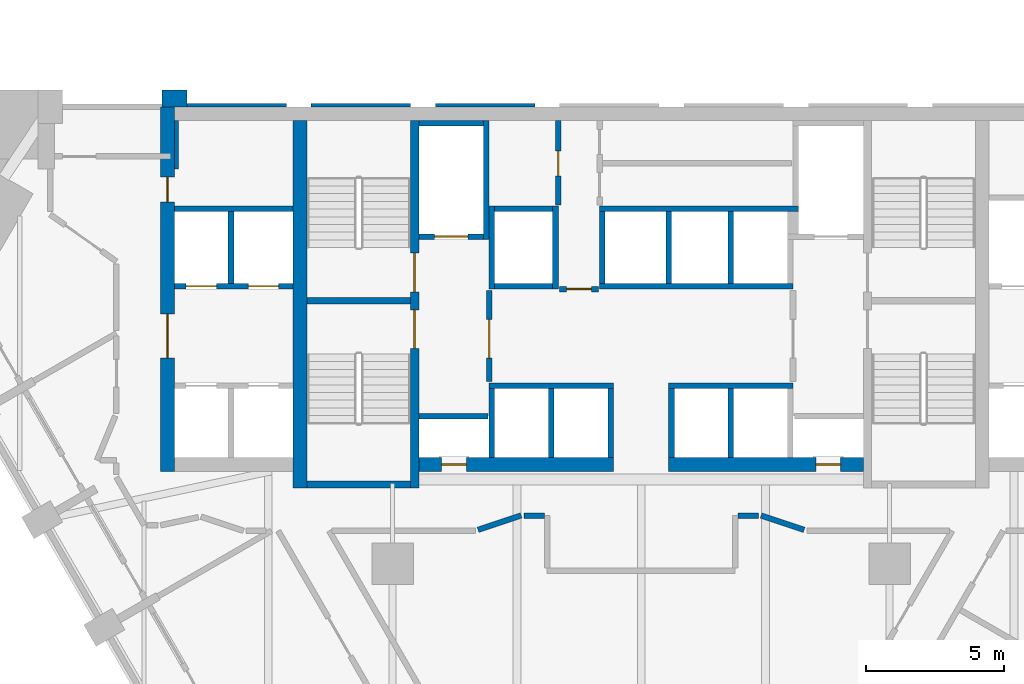
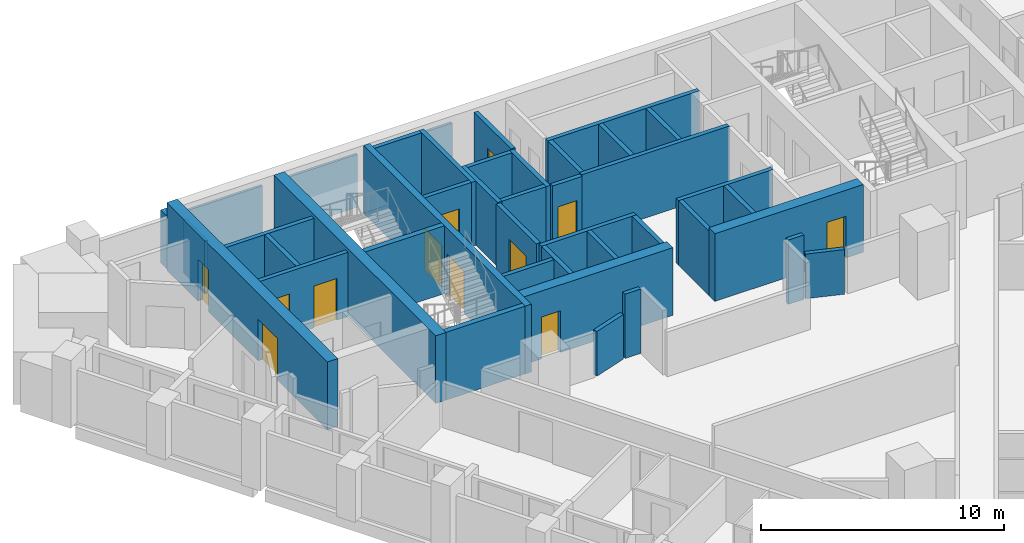
# One storey, part 7 of 11: 42 walls, 12 doors, 12 openings.
"""IFC4 building model written with IfcOpenShell, lengths in metres."""

from ifc_helpers import new_model, si_unit, direction, frame, frame_2d, origin, place, context, subcontext, project, spatial, polyline, rectangle, outline, extrude, material, layer, layer_set, type_object, element, fill, save


model = new_model("IFC4")

# Units and contexts
model_context = context("Model", 3, precision=1e-05, world=origin(), true_north=direction((0.0, 1.0)))
body_context = subcontext(model_context, "Body", "Model", "MODEL_VIEW")
ifc_project = project(units=[si_unit("LENGTHUNIT", "METRE"), si_unit("AREAUNIT", "SQUARE_METRE"), si_unit("VOLUMEUNIT", "CUBIC_METRE"), si_unit("PLANEANGLEUNIT", "RADIAN"), si_unit("MASSUNIT", "GRAM", prefix="KILO")], contexts=[model_context])

# Site, building, storey
site_placement = place(None, origin())
site = spatial("IfcSite", under=ifc_project, at=site_placement, CompositionType="ELEMENT")
building_placement = place(site_placement, origin())
building = spatial("IfcBuilding", under=site, at=building_placement, Name="Calabash Gate Tower", CompositionType="ELEMENT")
storey_placement = place(building_placement, frame((0.0, 0.0, 122.39990234375)))
storey = spatial("IfcBuildingStorey", under=building, at=storey_placement, Name="L28", CompositionType="ELEMENT", Elevation=122.39990234375)

# Walls
ifc_material_1 = material(Name="Terracotta brick masonry, exposed face", Category="masonry")
ifc_layer_1 = layer(ifc_material_1, 1.199951171875)
ifc_layer_set_1 = layer_set([ifc_layer_1], Name="Brick end wall 1200")
wall_type_1 = type_object("IfcWallType", Name="Brick end wall 1200", PredefinedType="SOLIDWALL", material=ifc_layer_set_1)
wall_1_placement = place(storey_placement, origin())
element("IfcWall", 1, at=wall_1_placement, inside=storey, type_object=wall_type_1, Name="Brick pier S08 N6.7", PredefinedType="SOLIDWALL", context=body_context, shape_type="SweptSolid", body=[
    extrude(outline(polyline([(-16.447021484375, 19.052490234375), (-16.447021484375, 19.652587890625), (-17.346923828125, 19.652587890625), (-17.346923828125, 19.052490234375), (-16.447021484375, 19.052490234375)])), origin(), (0.0, 0.0, 1.0), 2.650146484375),
])
ifc_material_2 = material(Name="Terracotta brick masonry, exposed face", Category="masonry")
ifc_layer_2 = layer(ifc_material_2, 0.300048828125)
ifc_layer_set_2 = layer_set([ifc_layer_2], Name="Brick loggia cheek wall 300")
wall_type_2 = type_object("IfcWallType", Name="Brick loggia cheek wall 300", PredefinedType="SOLIDWALL", material=ifc_layer_set_2)
wall_2_placement = place(storey_placement, origin())
element("IfcWall", 2, at=wall_2_placement, inside=storey, type_object=wall_type_2, Name="Loggia cheek S08 N6.7", PredefinedType="SOLIDWALL", context=body_context, shape_type="SweptSolid", body=[
    extrude(outline(polyline([(-16.89990234375, 18.5546875), (-16.746826171875, 18.5546875), (-16.746826171875, 16.802490234375), (-16.89990234375, 16.802490234375), (-16.89990234375, 18.5546875)])), origin(), (0.0, 0.0, 1.0), 2.650146484375),
])
ifc_material_3 = material(Name="Concrete C80/95", Category="concrete")
ifc_layer_3 = layer(ifc_material_3, 0.25)
ifc_layer_set_3 = layer_set([ifc_layer_3], Name="Core wall 250 Concrete C80/95")
wall_type_3 = type_object("IfcWallType", Name="Core wall 250 Concrete C80/95", PredefinedType="SHEAR", material=ifc_layer_set_3)
for number, where, z_axis, x_axis, name in (
    (3, (-12.10009765625, 12.027587890625, 0.0), (0.0, 0.0, 1.0), (1.0, 0.0, 0.0), "Core wall Z2-MIDW L28"),
    (4, (-12.10009765625, 5.377685546875, 0.0), (0.0, 0.0, 1.0), (1.0, 0.0, 0.0), "Core wall Z2-SSW L28"),
):
    element("IfcWall", number, at=place(storey_placement, frame(where, z_axis=z_axis, x_axis=x_axis)), inside=storey, type_object=wall_type_3, Name=name, PredefinedType="SHEAR", context=body_context, shape_type="SweptSolid", body=[
        extrude(rectangle(XDim=3.75, YDim=0.25, at=frame_2d((1.875, 0.0))), origin(), (0.0, 0.0, 1.0), 3.400146484375),
    ])

# Wall, openings, doors
ifc_material_4 = material(Name="Concrete C80/95", Category="concrete")
ifc_layer_4 = layer(ifc_material_4, 0.300048828125)
ifc_layer_set_4 = layer_set([ifc_layer_4], Name="Core wall 300 Concrete C80/95")
wall_type_4 = type_object("IfcWallType", Name="Core wall 300 Concrete C80/95", PredefinedType="SHEAR", material=ifc_layer_set_4)
wall_3_placement = place(storey_placement, frame((-8.199951171875, 5.252685546875, 0.0), z_axis=(0.0, 0.0, 1.0), x_axis=(0.0, 1.0, 0.0)))
wall_3 = element("IfcWall", 5, at=wall_3_placement, inside=storey, type_object=wall_type_4, Name="Core wall Z2-PARTW L28", PredefinedType="SHEAR", context=body_context, shape_type="SweptSolid", body=[
    extrude(rectangle(XDim=13.2998046875, YDim=0.300048828125, at=frame_2d((6.64990234375, 0.0))), origin(), (0.0, 0.0, 1.0), 3.400146484375),
])
opening_1_placement = place(wall_3_placement, frame((7.10009765625, 0.0, 0.0)))
opening_1 = element("IfcOpeningElement", 6, at=opening_1_placement, cuts=wall_3, Name="Opening H8-013", PredefinedType="OPENING", context=body_context, shape_type="SweptSolid", body=[
    extrude(rectangle(XDim=1.39990234375, YDim=2.10009765625, at=frame_2d((0.699951171875, 1.050048828125))), frame((0.0, 0.159912109375, 0.0), z_axis=(0.0, -1.0, 0.0), x_axis=(1.0, 0.0, 0.0)), (0.0, 0.0, 1.0), 0.320068359375),
])
opening_2_placement = place(wall_3_placement, frame((5.050048828125, 0.0, 0.0)))
opening_2 = element("IfcOpeningElement", 7, at=opening_2_placement, cuts=wall_3, Name="Opening H8-014", PredefinedType="OPENING", context=body_context, shape_type="SweptSolid", body=[
    extrude(rectangle(XDim=1.39990234375, YDim=2.10009765625, at=frame_2d((0.699951171875, 1.050048828125))), frame((0.0, 0.159912109375, 0.0), z_axis=(0.0, -1.0, 0.0), x_axis=(1.0, 0.0, 0.0)), (0.0, 0.0, 1.0), 0.320068359375),
])
ifc_material_5 = material(Name="Steel fire door set with fire-resisting glazing", Category="steel")
door_type_1 = type_object("IfcDoorType", Name="Fire door D05 1400x2100 FD90", OperationType="NOTDEFINED", PredefinedType="DOOR", material=ifc_material_5)
door_1_placement = place(opening_1_placement, origin())
door_1 = element("IfcDoor", 8, at=door_1_placement, inside=storey, type_object=door_type_1, Name="Exit stair door ST1", OperationType="SINGLE_SWING_LEFT", OverallHeight=2.10009765625, OverallWidth=1.39990234375, PredefinedType="DOOR", context=body_context, shape_type="SweptSolid", body=[
    extrude(rectangle(XDim=1.39990234375, YDim=2.10009765625, at=frame_2d((0.699951171875, 1.050048828125))), frame((0.0, 0.02490234375, 0.0), z_axis=(0.0, -1.0, 0.0), x_axis=(1.0, 0.0, 0.0)), (0.0, 0.0, 1.0), 0.050048828125),
])
fill(opening_1, door_1)
door_2_placement = place(opening_2_placement, origin())
door_2 = element("IfcDoor", 9, at=door_2_placement, inside=storey, type_object=door_type_1, Name="Exit stair door ST2", OperationType="SINGLE_SWING_LEFT", OverallHeight=2.10009765625, OverallWidth=1.39990234375, PredefinedType="DOOR", context=body_context, shape_type="SweptSolid", body=[
    extrude(rectangle(XDim=1.39990234375, YDim=2.10009765625, at=frame_2d((0.699951171875, 1.050048828125))), frame((0.0, 0.02490234375, 0.0), z_axis=(0.0, -1.0, 0.0), x_axis=(1.0, 0.0, 0.0)), (0.0, 0.0, 1.0), 0.050048828125),
])
fill(opening_2, door_2)

# Wall
ifc_material_6 = material(Name="Concrete C80/95", Category="concrete")
ifc_layer_5 = layer(ifc_material_6, 0.5)
ifc_layer_set_5 = layer_set([ifc_layer_5], Name="Core wall 500 Concrete C80/95")
wall_type_5 = type_object("IfcWallType", Name="Core wall 500 Concrete C80/95", PredefinedType="SHEAR", material=ifc_layer_set_5)
wall_4_placement = place(storey_placement, frame((-12.35009765625, 5.252685546875, 0.0), z_axis=(0.0, 0.0, 1.0), x_axis=(0.0, 1.0, 0.0)))
element("IfcWall", 10, at=wall_4_placement, inside=storey, type_object=wall_type_5, Name="Core wall Z2-COLW L28", PredefinedType="SHEAR", context=body_context, shape_type="SweptSolid", body=[
    extrude(rectangle(XDim=13.2998046875, YDim=0.5, at=frame_2d((6.64990234375, 0.0))), origin(), (0.0, 0.0, 1.0), 3.400146484375),
])

# Wall, opening, door
wall_5_placement = place(storey_placement, frame((-8.050048828125, 6.1025390625, 0.0), z_axis=(0.0, 0.0, 1.0), x_axis=(1.0, 0.0, 0.0)))
wall_5 = element("IfcWall", 11, at=wall_5_placement, inside=storey, type_object=wall_type_5, Name="Core wall Z2-SA L28", PredefinedType="SHEAR", context=body_context, shape_type="SweptSolid", body=[
    extrude(rectangle(XDim=7.050048828125, YDim=0.5, at=frame_2d((3.52490234375, 0.0))), origin(), (0.0, 0.0, 1.0), 3.400146484375),
])
opening_3_placement = place(wall_5_placement, frame((0.824951171875, 0.0, 0.0)))
opening_3 = element("IfcOpeningElement", 12, at=opening_3_placement, cuts=wall_5, Name="Opening H8-012", PredefinedType="OPENING", context=body_context, shape_type="SweptSolid", body=[
    extrude(rectangle(XDim=0.89990234375, YDim=2.10009765625, at=frame_2d((0.449951171875, 1.050048828125))), frame((0.0, 0.260009765625, 0.0), z_axis=(0.0, -1.0, 0.0), x_axis=(1.0, 0.0, 0.0)), (0.0, 0.0, 1.0), 0.52001953125),
])
ifc_material_7 = material(Name="Steel fire door set with fire-resisting glazing", Category="steel")
door_type_2 = type_object("IfcDoorType", Name="Fire door D07 900x2100 FD90", OperationType="NOTDEFINED", PredefinedType="DOOR", material=ifc_material_7)
door_3_placement = place(opening_3_placement, origin())
door_3 = element("IfcDoor", 13, at=door_3_placement, inside=storey, type_object=door_type_2, Name="Electrical Riser W door", OperationType="SINGLE_SWING_LEFT", OverallHeight=2.10009765625, OverallWidth=0.89990234375, PredefinedType="DOOR", context=body_context, shape_type="SweptSolid", body=[
    extrude(rectangle(XDim=0.89990234375, YDim=2.10009765625, at=frame_2d((0.449951171875, 1.050048828125))), frame((0.0, 0.02490234375, 0.0), z_axis=(0.0, -1.0, 0.0), x_axis=(1.0, 0.0, 0.0)), (0.0, 0.0, 1.0), 0.050048828125),
])
fill(opening_3, door_3)

wall_6_placement = place(storey_placement, frame((1.0, 6.1025390625, 0.0), z_axis=(0.0, 0.0, 1.0), x_axis=(1.0, 0.0, 0.0)))
wall_6 = element("IfcWall", 14, at=wall_6_placement, inside=storey, type_object=wall_type_5, Name="Core wall Z2-SB L28", PredefinedType="SHEAR", context=body_context, shape_type="SweptSolid", body=[
    extrude(rectangle(XDim=7.050048828125, YDim=0.5, at=frame_2d((3.52490234375, 0.0))), origin(), (0.0, 0.0, 1.0), 3.400146484375),
])
opening_4_placement = place(wall_6_placement, frame((5.324951171875, 0.0, 0.0)))
opening_4 = element("IfcOpeningElement", 15, at=opening_4_placement, cuts=wall_6, Name="Opening H8-011", PredefinedType="OPENING", context=body_context, shape_type="SweptSolid", body=[
    extrude(rectangle(XDim=0.89990234375, YDim=2.10009765625, at=frame_2d((0.449951171875, 1.050048828125))), frame((0.0, 0.260009765625, 0.0), z_axis=(0.0, -1.0, 0.0), x_axis=(1.0, 0.0, 0.0)), (0.0, 0.0, 1.0), 0.52001953125),
])
door_4_placement = place(opening_4_placement, origin())
door_4 = element("IfcDoor", 16, at=door_4_placement, inside=storey, type_object=door_type_2, Name="Mechanical Riser E door", OperationType="SINGLE_SWING_RIGHT", OverallHeight=2.10009765625, OverallWidth=0.89990234375, PredefinedType="DOOR", context=body_context, shape_type="SweptSolid", body=[
    extrude(rectangle(XDim=0.89990234375, YDim=2.10009765625, at=frame_2d((0.449951171875, 1.050048828125))), frame((0.0, 0.02490234375, 0.0), z_axis=(0.0, -1.0, 0.0), x_axis=(1.0, 0.0, 0.0)), (0.0, 0.0, 1.0), 0.050048828125),
])
fill(opening_4, door_4)

# Wall, openings, doors
wall_7_placement = place(storey_placement, frame((-17.14990234375, 5.8525390625, 0.0), z_axis=(0.0, 0.0, 1.0), x_axis=(0.0, 1.0, 0.0)))
wall_7 = element("IfcWall", 17, at=wall_7_placement, inside=storey, type_object=wall_type_5, Name="Core wall Z2-ENDW L28", PredefinedType="SHEAR", context=body_context, shape_type="SweptSolid", body=[
    extrude(rectangle(XDim=13.199951171875, YDim=0.5, at=frame_2d((6.60009765625, 0.0))), origin(), (0.0, 0.0, 1.0), 3.400146484375),
])
opening_5_placement = place(wall_7_placement, frame((4.10009765625, 0.0, 0.0)))
opening_5 = element("IfcOpeningElement", 18, at=opening_5_placement, cuts=wall_7, Name="Opening H8-003", PredefinedType="OPENING", context=body_context, shape_type="SweptSolid", body=[
    extrude(rectangle(XDim=1.60009765625, YDim=2.10009765625, at=frame_2d((0.800048828125, 1.050048828125))), frame((0.0, 0.260009765625, 0.0), z_axis=(0.0, -1.0, 0.0), x_axis=(1.0, 0.0, 0.0)), (0.0, 0.0, 1.0), 0.52001953125),
])
opening_6_placement = place(wall_7_placement, frame((9.75, 0.0, 0.0)))
opening_6 = element("IfcOpeningElement", 19, at=opening_6_placement, cuts=wall_7, Name="Opening H8-004", PredefinedType="OPENING", context=body_context, shape_type="SweptSolid", body=[
    extrude(rectangle(XDim=0.89990234375, YDim=2.10009765625, at=frame_2d((0.449951171875, 1.050048828125))), frame((0.0, 0.260009765625, 0.0), z_axis=(0.0, -1.0, 0.0), x_axis=(1.0, 0.0, 0.0)), (0.0, 0.0, 1.0), 0.52001953125),
])
ifc_material_8 = material(Name="Steel fire door set with fire-resisting glazing", Category="steel")
door_type_3 = type_object("IfcDoorType", Name="Double fire door D08 1600x2100 FD60", OperationType="DOUBLE_DOOR_SINGLE_SWING", PredefinedType="DOOR", material=ifc_material_8)
door_5_placement = place(opening_5_placement, origin())
door_5 = element("IfcDoor", 20, at=door_5_placement, inside=storey, type_object=door_type_3, Name="Low-rise Lift Lobby W door", OperationType="DOUBLE_DOOR_SINGLE_SWING", OverallHeight=2.10009765625, OverallWidth=1.60009765625, PredefinedType="DOOR", context=body_context, shape_type="SweptSolid", body=[
    extrude(rectangle(XDim=1.60009765625, YDim=2.10009765625, at=frame_2d((0.800048828125, 1.050048828125))), frame((0.0, 0.02490234375, 0.0), z_axis=(0.0, -1.0, 0.0), x_axis=(1.0, 0.0, 0.0)), (0.0, 0.0, 1.0), 0.050048828125),
])
fill(opening_5, door_5)
ifc_material_9 = material(Name="Steel fire door set with fire-resisting glazing", Category="steel")
door_type_4 = type_object("IfcDoorType", Name="Fire door D06 900x2100 FD60", OperationType="NOTDEFINED", PredefinedType="DOOR", material=ifc_material_9)
door_6_placement = place(opening_6_placement, origin())
door_6 = element("IfcDoor", 21, at=door_6_placement, inside=storey, type_object=door_type_4, Name="Luggage Store door", OperationType="SINGLE_SWING_RIGHT", OverallHeight=2.10009765625, OverallWidth=0.89990234375, PredefinedType="DOOR", context=body_context, shape_type="SweptSolid", body=[
    extrude(rectangle(XDim=0.89990234375, YDim=2.10009765625, at=frame_2d((0.449951171875, 1.050048828125))), frame((0.0, 0.02490234375, 0.0), z_axis=(0.0, -1.0, 0.0), x_axis=(1.0, 0.0, 0.0)), (0.0, 0.0, 1.0), 0.050048828125),
])
fill(opening_6, door_6)

# Walls
ifc_material_10 = material(Name="Gypsum board on steel studs, mineral wool", Category="steel")
ifc_layer_6 = layer(ifc_material_10, 0.199951171875)
ifc_layer_set_6 = layer_set([ifc_layer_6], Name="Partition 200 gypsum board EI 60")
wall_type_6 = type_object("IfcWallType", Name="Partition 200 gypsum board EI 60", PredefinedType="PARTITIONING", material=ifc_layer_set_6)
for number, where, z_axis, x_axis, name in (
    (22, (4.34228515625, 4.25244140625, 0.0), (0.0, 0.0, 1.0), (0.948668476379, -0.316272227557, 0.0), "Partition"),
    (23, (-5.905029296875, 3.7314453125, 0.0), (0.0, 0.0, 1.0), (0.948668476379, 0.316272227557, 0.0), "Partition"),
):
    element("IfcWall", number, at=place(storey_placement, frame(where, z_axis=z_axis, x_axis=x_axis)), inside=storey, type_object=wall_type_6, Name=name, PredefinedType="PARTITIONING", context=body_context, shape_type="SweptSolid", body=[
        extrude(rectangle(XDim=1.647216796875, YDim=0.199951171875, at=frame_2d((0.82373046875, 0.0))), origin(), (0.0, 0.0, 1.0), 2.24169921875),
    ])
for number, where, z_axis, x_axis, name in (
    (24, (-4.2421875, 4.252197265625, 0.0), (0.0, 0.0, 1.0), (0.999998041999, -0.001978887946, 0.0), "Partition"),
    (25, (3.501953125, 4.250732421875, 0.0), (0.0, 0.0, 1.0), (0.999998041999, 0.001978887946, 0.0), "Partition"),
):
    element("IfcWall", number, at=place(storey_placement, frame(where, z_axis=z_axis, x_axis=x_axis)), inside=storey, type_object=wall_type_6, Name=name, PredefinedType="PARTITIONING", context=body_context, shape_type="SweptSolid", body=[
        extrude(rectangle(XDim=0.740234375, YDim=0.199951171875, at=frame_2d((0.3701171875, 0.0))), origin(), (0.0, 0.0, 1.0), 3.22998046875),
    ])
ifc_material_11 = material(Name="Concrete C40/50", Category="concrete")
ifc_layer_7 = layer(ifc_material_11, 0.199951171875)
ifc_layer_set_7 = layer_set([ifc_layer_7], Name="Shaft wall 200 Concrete C40/50")
wall_type_7 = type_object("IfcWallType", Name="Shaft wall 200 Concrete C40/50", PredefinedType="SOLIDWALL", material=ifc_layer_set_7)
for number, where, z_axis, x_axis, name in (
    (26, (-5.39990234375, 6.3525390625, 0.0), (0.0, 0.0, 1.0), (0.0, 1.0, 0.0), "Shaft wall"),
    (27, (-3.25, 6.3525390625, 0.0), (0.0, 0.0, 1.0), (0.0, 1.0, 0.0), "Shaft wall"),
    (28, (-1.10009765625, 6.3525390625, 0.0), (0.0, 0.0, 1.0), (0.0, 1.0, 0.0), "Shaft wall"),
    (29, (1.10009765625, 6.3525390625, 0.0), (0.0, 0.0, 1.0), (0.0, 1.0, 0.0), "Shaft wall"),
    (30, (3.25, 6.3525390625, 0.0), (0.0, 0.0, 1.0), (0.0, 1.0, 0.0), "Shaft wall"),
    (31, (-8.050048828125, 7.8525390625, 0.0), (0.0, 0.0, 1.0), (1.0, 0.0, 0.0), "Shaft wall"),
):
    element("IfcWall", number, at=place(storey_placement, frame(where, z_axis=z_axis, x_axis=x_axis)), inside=storey, type_object=wall_type_7, Name=name, PredefinedType="SOLIDWALL", context=body_context, shape_type="SweptSolid", body=[
        extrude(rectangle(XDim=2.5, YDim=0.199951171875, at=frame_2d((1.25, 0.0))), origin(), (0.0, 0.0, 1.0), 3.22998046875),
    ])
for number, where, z_axis, x_axis, name in (
    (32, (-5.5, 8.95263671875, 0.0), (0.0, 0.0, 1.0), (1.0, 0.0, 0.0), "Shaft wall"),
    (33, (1.0, 8.95263671875, 0.0), (0.0, 0.0, 1.0), (1.0, 0.0, 0.0), "Shaft wall"),
):
    element("IfcWall", number, at=place(storey_placement, frame(where, z_axis=z_axis, x_axis=x_axis)), inside=storey, type_object=wall_type_7, Name=name, PredefinedType="SOLIDWALL", context=body_context, shape_type="SweptSolid", body=[
        extrude(rectangle(XDim=4.5, YDim=0.199951171875, at=frame_2d((2.25, 0.0))), origin(), (0.0, 0.0, 1.0), 3.22998046875),
    ])

# Wall, opening, door
wall_8_placement = place(storey_placement, frame((-5.5, 9.1025390625, 0.0), z_axis=(0.0, 0.0, 1.0), x_axis=(0.0, 1.0, 0.0)))
wall_8 = element("IfcWall", 34, at=wall_8_placement, inside=storey, type_object=wall_type_7, Name="Shaft wall", PredefinedType="SOLIDWALL", context=body_context, shape_type="SweptSolid", body=[
    extrude(rectangle(XDim=3.300048828125, YDim=0.199951171875, at=frame_2d((1.64990234375, 0.0))), origin(), (0.0, 0.0, 1.0), 3.22998046875),
])
opening_7_placement = place(wall_8_placement, frame((0.85009765625, 0.0, 0.0)))
opening_7 = element("IfcOpeningElement", 35, at=opening_7_placement, cuts=wall_8, Name="Opening H8-007", PredefinedType="OPENING", context=body_context, shape_type="SweptSolid", body=[
    extrude(rectangle(XDim=1.39990234375, YDim=2.10009765625, at=frame_2d((0.699951171875, 1.050048828125))), frame((0.0, 0.10986328125, 0.0), z_axis=(0.0, -1.0, 0.0), x_axis=(1.0, 0.0, 0.0)), (0.0, 0.0, 1.0), 0.219970703125),
])
door_7_placement = place(opening_7_placement, origin())
door_7 = element("IfcDoor", 36, at=door_7_placement, inside=storey, type_object=door_type_1, Name="Firefighting Lobby W door", OperationType="SINGLE_SWING_RIGHT", OverallHeight=2.10009765625, OverallWidth=1.39990234375, PredefinedType="DOOR", context=body_context, shape_type="SweptSolid", body=[
    extrude(rectangle(XDim=1.39990234375, YDim=2.10009765625, at=frame_2d((0.699951171875, 1.050048828125))), frame((0.0, 0.02490234375, 0.0), z_axis=(0.0, -1.0, 0.0), x_axis=(1.0, 0.0, 0.0)), (0.0, 0.0, 1.0), 0.050048828125),
])
fill(opening_7, door_7)

wall_9_placement = place(storey_placement, frame((-2.949951171875, 12.45263671875, 0.0), z_axis=(0.0, 0.0, 1.0), x_axis=(1.0, 0.0, 0.0)))
wall_9 = element("IfcWall", 37, at=wall_9_placement, inside=storey, type_object=wall_type_7, Name="Shaft wall", PredefinedType="SOLIDWALL", context=body_context, shape_type="SweptSolid", body=[
    extrude(rectangle(XDim=1.39990234375, YDim=0.199951171875, at=frame_2d((0.699951171875, 0.0))), origin(), (0.0, 0.0, 1.0), 3.22998046875),
])
opening_8_placement = place(wall_9_placement, frame((0.25, 0.0, 0.0)))
opening_8 = element("IfcOpeningElement", 38, at=opening_8_placement, cuts=wall_9, Name="Opening H8-005", PredefinedType="OPENING", context=body_context, shape_type="SweptSolid", body=[
    extrude(rectangle(XDim=0.89990234375, YDim=2.10009765625, at=frame_2d((0.449951171875, 1.050048828125))), frame((0.0, 0.10986328125, 0.0), z_axis=(0.0, -1.0, 0.0), x_axis=(1.0, 0.0, 0.0)), (0.0, 0.0, 1.0), 0.219970703125),
])
door_8_placement = place(opening_8_placement, origin())
door_8 = element("IfcDoor", 39, at=door_8_placement, inside=storey, type_object=door_type_4, Name="Service Corridor door", OperationType="SINGLE_SWING_RIGHT", OverallHeight=2.10009765625, OverallWidth=0.89990234375, PredefinedType="DOOR", context=body_context, shape_type="SweptSolid", body=[
    extrude(rectangle(XDim=0.89990234375, YDim=2.10009765625, at=frame_2d((0.449951171875, 1.050048828125))), frame((0.0, 0.02490234375, 0.0), z_axis=(0.0, -1.0, 0.0), x_axis=(1.0, 0.0, 0.0)), (0.0, 0.0, 1.0), 0.050048828125),
])
fill(opening_8, door_8)

# Wall, openings, doors
wall_10_placement = place(storey_placement, frame((-16.89990234375, 12.552490234375, 0.0), z_axis=(0.0, 0.0, 1.0), x_axis=(1.0, 0.0, 0.0)))
wall_10 = element("IfcWall", 40, at=wall_10_placement, inside=storey, type_object=wall_type_7, Name="Shaft wall", PredefinedType="SOLIDWALL", context=body_context, shape_type="SweptSolid", body=[
    extrude(rectangle(XDim=4.2998046875, YDim=0.199951171875, at=frame_2d((2.14990234375, 0.0))), origin(), (0.0, 0.0, 1.0), 3.22998046875),
])
opening_9_placement = place(wall_10_placement, frame((2.675048828125, 0.0, 0.0)))
opening_9 = element("IfcOpeningElement", 41, at=opening_9_placement, cuts=wall_10, Name="Opening LD-LR3", PredefinedType="OPENING", context=body_context, shape_type="SweptSolid", body=[
    extrude(rectangle(XDim=1.10009765625, YDim=2.10009765625, at=frame_2d((0.550048828125, 1.050048828125))), frame((0.0, 0.10986328125, 0.0), z_axis=(0.0, -1.0, 0.0), x_axis=(1.0, 0.0, 0.0)), (0.0, 0.0, 1.0), 0.219970703125),
])
opening_10_placement = place(wall_10_placement, frame((0.425048828125, 0.0, 0.0)))
opening_10 = element("IfcOpeningElement", 42, at=opening_10_placement, cuts=wall_10, Name="Opening LD-LR4", PredefinedType="OPENING", context=body_context, shape_type="SweptSolid", body=[
    extrude(rectangle(XDim=1.10009765625, YDim=2.10009765625, at=frame_2d((0.550048828125, 1.050048828125))), frame((0.0, 0.10986328125, 0.0), z_axis=(0.0, -1.0, 0.0), x_axis=(1.0, 0.0, 0.0)), (0.0, 0.0, 1.0), 0.219970703125),
])
ifc_material_12 = material(Name="Stainless steel sliding door leaves", Category="steel")
door_type_5 = type_object("IfcDoorType", Name="Lift landing door LS1 1100x2100 FD90", OperationType="DOUBLE_DOOR_SLIDING", PredefinedType="DOOR", material=ifc_material_12)
door_9_placement = place(opening_9_placement, origin())
door_9 = element("IfcDoor", 43, at=door_9_placement, inside=storey, type_object=door_type_5, Name="Lift landing door LR3", OperationType="DOUBLE_DOOR_SLIDING", OverallHeight=2.10009765625, OverallWidth=1.10009765625, PredefinedType="DOOR", context=body_context, shape_type="SweptSolid", body=[
    extrude(rectangle(XDim=1.10009765625, YDim=2.10009765625, at=frame_2d((0.550048828125, 1.050048828125))), frame((0.0, 0.02490234375, 0.0), z_axis=(0.0, -1.0, 0.0), x_axis=(1.0, 0.0, 0.0)), (0.0, 0.0, 1.0), 0.050048828125),
])
fill(opening_9, door_9)
door_10_placement = place(opening_10_placement, origin())
door_10 = element("IfcDoor", 44, at=door_10_placement, inside=storey, type_object=door_type_5, Name="Lift landing door LR4", OperationType="DOUBLE_DOOR_SLIDING", OverallHeight=2.10009765625, OverallWidth=1.10009765625, PredefinedType="DOOR", context=body_context, shape_type="SweptSolid", body=[
    extrude(rectangle(XDim=1.10009765625, YDim=2.10009765625, at=frame_2d((0.550048828125, 1.050048828125))), frame((0.0, 0.02490234375, 0.0), z_axis=(0.0, -1.0, 0.0), x_axis=(1.0, 0.0, 0.0)), (0.0, 0.0, 1.0), 0.050048828125),
])
fill(opening_10, door_10)

# Walls
wall_11_placement = place(storey_placement, frame((-5.39990234375, 12.45263671875, 0.0), z_axis=(0.0, 0.0, 1.0), x_axis=(0.0, 1.0, 0.0)))
element("IfcWall", 45, at=wall_11_placement, inside=storey, type_object=wall_type_7, Name="Shaft wall", PredefinedType="SOLIDWALL", context=body_context, shape_type="SweptSolid", body=[
    extrude(rectangle(XDim=3.0, YDim=0.199951171875, at=frame_2d((1.5, 0.0))), origin(), (0.0, 0.0, 1.0), 3.22998046875),
])
wall_12_placement = place(storey_placement, frame((-5.300048828125, 12.552490234375, 0.0), z_axis=(0.0, 0.0, 1.0), x_axis=(1.0, 0.0, 0.0)))
element("IfcWall", 46, at=wall_12_placement, inside=storey, type_object=wall_type_7, Name="Shaft wall", PredefinedType="SOLIDWALL", context=body_context, shape_type="SweptSolid", body=[
    extrude(rectangle(XDim=2.10009765625, YDim=0.199951171875, at=frame_2d((1.050048828125, 0.0))), origin(), (0.0, 0.0, 1.0), 3.22998046875),
])
wall_13_placement = place(storey_placement, frame((-3.10009765625, 12.45263671875, 0.0), z_axis=(0.0, 0.0, 1.0), x_axis=(0.0, 1.0, 0.0)))
element("IfcWall", 47, at=wall_13_placement, inside=storey, type_object=wall_type_7, Name="Shaft wall", PredefinedType="SOLIDWALL", context=body_context, shape_type="SweptSolid", body=[
    extrude(rectangle(XDim=3.0, YDim=0.199951171875, at=frame_2d((1.5, 0.0))), origin(), (0.0, 0.0, 1.0), 3.22998046875),
])
wall_14_placement = place(storey_placement, frame((-1.5, 12.552490234375, 0.0), z_axis=(0.0, 0.0, 1.0), x_axis=(1.0, 0.0, 0.0)))
element("IfcWall", 48, at=wall_14_placement, inside=storey, type_object=wall_type_7, Name="Shaft wall", PredefinedType="SOLIDWALL", context=body_context, shape_type="SweptSolid", body=[
    extrude(rectangle(XDim=7.0, YDim=0.199951171875, at=frame_2d((3.5, 0.0))), origin(), (0.0, 0.0, 1.0), 3.22998046875),
])
for number, where, z_axis, x_axis, name in (
    (49, (-14.85009765625, 12.652587890625, 0.0), (0.0, 0.0, 1.0), (0.0, 1.0, 0.0), "Shaft wall"),
    (50, (-1.39990234375, 12.652587890625, 0.0), (0.0, 0.0, 1.0), (0.0, 1.0, 0.0), "Shaft wall"),
    (51, (1.0, 12.652587890625, 0.0), (0.0, 0.0, 1.0), (0.0, 1.0, 0.0), "Shaft wall"),
    (52, (3.25, 12.652587890625, 0.0), (0.0, 0.0, 1.0), (0.0, 1.0, 0.0), "Shaft wall"),
):
    element("IfcWall", number, at=place(storey_placement, frame(where, z_axis=z_axis, x_axis=x_axis)), inside=storey, type_object=wall_type_7, Name=name, PredefinedType="SOLIDWALL", context=body_context, shape_type="SweptSolid", body=[
        extrude(rectangle(XDim=2.60009765625, YDim=0.199951171875, at=frame_2d((1.300048828125, 0.0))), origin(), (0.0, 0.0, 1.0), 3.22998046875),
    ])

# Wall, opening, door
wall_15_placement = place(storey_placement, frame((-8.050048828125, 14.3525390625, 0.0), z_axis=(0.0, 0.0, 1.0), x_axis=(1.0, 0.0, 0.0)))
wall_15 = element("IfcWall", 53, at=wall_15_placement, inside=storey, type_object=wall_type_7, Name="Shaft wall", PredefinedType="SOLIDWALL", context=body_context, shape_type="SweptSolid", body=[
    extrude(rectangle(XDim=2.35009765625, YDim=0.199951171875, at=frame_2d((1.175048828125, 0.0))), origin(), (0.0, 0.0, 1.0), 3.22998046875),
])
opening_11_placement = place(wall_15_placement, frame((0.574951171875, 0.0, 0.0)))
opening_11 = element("IfcOpeningElement", 54, at=opening_11_placement, cuts=wall_15, Name="Opening LD-FF1", PredefinedType="OPENING", context=body_context, shape_type="SweptSolid", body=[
    extrude(rectangle(XDim=1.199951171875, YDim=2.10009765625, at=frame_2d((0.60009765625, 1.050048828125))), frame((0.0, 0.10986328125, 0.0), z_axis=(0.0, -1.0, 0.0), x_axis=(1.0, 0.0, 0.0)), (0.0, 0.0, 1.0), 0.219970703125),
])
ifc_material_13 = material(Name="Stainless steel sliding door leaves", Category="steel")
door_type_6 = type_object("IfcDoorType", Name="Lift landing door LS3 1200x2100 FD90", OperationType="DOUBLE_DOOR_SLIDING", PredefinedType="DOOR", material=ifc_material_13)
door_11_placement = place(opening_11_placement, origin())
door_11 = element("IfcDoor", 55, at=door_11_placement, inside=storey, type_object=door_type_6, Name="Lift landing door FF1", OperationType="DOUBLE_DOOR_SLIDING", OverallHeight=2.10009765625, OverallWidth=1.199951171875, PredefinedType="DOOR", context=body_context, shape_type="SweptSolid", body=[
    extrude(rectangle(XDim=1.199951171875, YDim=2.10009765625, at=frame_2d((0.60009765625, 1.050048828125))), frame((0.0, 0.02490234375, 0.0), z_axis=(0.0, -1.0, 0.0), x_axis=(1.0, 0.0, 0.0)), (0.0, 0.0, 1.0), 0.050048828125),
])
fill(opening_11, door_11)

# Walls
for number, where, z_axis, x_axis, name in (
    (56, (-5.60009765625, 14.252685546875, 0.0), (0.0, 0.0, 1.0), (0.0, 1.0, 0.0), "Shaft wall"),
    (57, (-16.89990234375, 15.3525390625, 0.0), (0.0, 0.0, 1.0), (1.0, 0.0, 0.0), "Shaft wall"),
):
    element("IfcWall", number, at=place(storey_placement, frame(where, z_axis=z_axis, x_axis=x_axis)), inside=storey, type_object=wall_type_7, Name=name, PredefinedType="SOLIDWALL", context=body_context, shape_type="SweptSolid", body=[
        extrude(rectangle(XDim=4.2998046875, YDim=0.199951171875, at=frame_2d((2.14990234375, 0.0))), origin(), (0.0, 0.0, 1.0), 3.22998046875),
    ])
wall_16_placement = place(storey_placement, frame((-5.300048828125, 15.3525390625, 0.0), z_axis=(0.0, 0.0, 1.0), x_axis=(1.0, 0.0, 0.0)))
element("IfcWall", 58, at=wall_16_placement, inside=storey, type_object=wall_type_7, Name="Shaft wall", PredefinedType="SOLIDWALL", context=body_context, shape_type="SweptSolid", body=[
    extrude(rectangle(XDim=2.10009765625, YDim=0.199951171875, at=frame_2d((1.050048828125, 0.0))), origin(), (0.0, 0.0, 1.0), 3.22998046875),
])
wall_17_placement = place(storey_placement, frame((-1.5, 15.3525390625, 0.0), z_axis=(0.0, 0.0, 1.0), x_axis=(1.0, 0.0, 0.0)))
element("IfcWall", 59, at=wall_17_placement, inside=storey, type_object=wall_type_7, Name="Shaft wall", PredefinedType="SOLIDWALL", context=body_context, shape_type="SweptSolid", body=[
    extrude(rectangle(XDim=7.199951171875, YDim=0.199951171875, at=frame_2d((3.60009765625, 0.0))), origin(), (0.0, 0.0, 1.0), 3.22998046875),
])

# Wall, opening, door
wall_18_placement = place(storey_placement, frame((-3.0, 15.502685546875, 0.0), z_axis=(0.0, 0.0, 1.0), x_axis=(0.0, 1.0, 0.0)))
wall_18 = element("IfcWall", 60, at=wall_18_placement, inside=storey, type_object=wall_type_7, Name="Shaft wall", PredefinedType="SOLIDWALL", context=body_context, shape_type="SweptSolid", body=[
    extrude(rectangle(XDim=3.0498046875, YDim=0.199951171875, at=frame_2d((1.52490234375, 0.0))), origin(), (0.0, 0.0, 1.0), 3.22998046875),
])
opening_12_placement = place(wall_18_placement, frame((1.050048828125, 0.0, 0.0)))
opening_12 = element("IfcOpeningElement", 61, at=opening_12_placement, cuts=wall_18, Name="Opening H8-008", PredefinedType="OPENING", context=body_context, shape_type="SweptSolid", body=[
    extrude(rectangle(XDim=0.89990234375, YDim=2.10009765625, at=frame_2d((0.449951171875, 1.050048828125))), frame((0.0, 0.10986328125, 0.0), z_axis=(0.0, -1.0, 0.0), x_axis=(1.0, 0.0, 0.0)), (0.0, 0.0, 1.0), 0.219970703125),
])
door_12_placement = place(opening_12_placement, origin())
door_12 = element("IfcDoor", 62, at=door_12_placement, inside=storey, type_object=door_type_4, Name="Linen Store door", OperationType="SINGLE_SWING_LEFT", OverallHeight=2.10009765625, OverallWidth=0.89990234375, PredefinedType="DOOR", context=body_context, shape_type="SweptSolid", body=[
    extrude(rectangle(XDim=0.89990234375, YDim=2.10009765625, at=frame_2d((0.449951171875, 1.050048828125))), frame((0.0, 0.02490234375, 0.0), z_axis=(0.0, -1.0, 0.0), x_axis=(1.0, 0.0, 0.0)), (0.0, 0.0, 1.0), 0.050048828125),
])
fill(opening_12, door_12)

# Walls
wall_19_placement = place(storey_placement, frame((-8.050048828125, 18.45263671875, 0.0), z_axis=(0.0, 0.0, 1.0), x_axis=(1.0, 0.0, 0.0)))
element("IfcWall", 63, at=wall_19_placement, inside=storey, type_object=wall_type_7, Name="Shaft wall", PredefinedType="SOLIDWALL", context=body_context, shape_type="SweptSolid", body=[
    extrude(rectangle(XDim=2.35009765625, YDim=0.199951171875, at=frame_2d((1.175048828125, 0.0))), origin(), (0.0, 0.0, 1.0), 3.22998046875),
])
ifc_material_14 = material(Name="Terracotta brick masonry, perforated", Category="masonry")
ifc_layer_8 = layer(ifc_material_14, 0.1201171875)
ifc_layer_set_8 = layer_set([ifc_layer_8], Name="Terracotta jaali cladding B 120")
wall_type_8 = type_object("IfcWallType", Name="Terracotta jaali cladding B 120", PredefinedType="SOLIDWALL", material=ifc_layer_set_8)
wall_20_placement = place(storey_placement, origin())
element("IfcWall", 64, at=wall_20_placement, inside=storey, type_object=wall_type_8, Name="Jaali cladding S08 N6.5", PredefinedType="SOLIDWALL", context=body_context, shape_type="SweptSolid", body=[
    extrude(outline(polyline([(-7.447021484375, 19.172607421875), (-7.447021484375, 19.052490234375), (-3.846923828125, 19.052490234375), (-3.846923828125, 19.172607421875), (-7.447021484375, 19.172607421875)])), origin(), (0.0, 0.0, 1.0), 2.650146484375),
])
wall_21_placement = place(storey_placement, origin())
element("IfcWall", 65, at=wall_21_placement, inside=storey, type_object=wall_type_8, Name="Jaali cladding S08 N6.7", PredefinedType="SOLIDWALL", context=body_context, shape_type="SweptSolid", body=[
    extrude(outline(polyline([(-16.4462890625, 19.172607421875), (-16.4462890625, 19.052490234375), (-12.846923828125, 19.052490234375), (-12.846923828125, 19.172607421875), (-16.4462890625, 19.172607421875)])), origin(), (0.0, 0.0, 1.0), 2.650146484375),
])
ifc_material_15 = material(Name="Terracotta louvre blades in an aluminium frame", Category="masonry")
ifc_layer_9 = layer(ifc_material_15, 0.1201171875)
ifc_layer_set_9 = layer_set([ifc_layer_9], Name="Terracotta vent louvre cladding 120")
wall_type_9 = type_object("IfcWallType", Name="Terracotta vent louvre cladding 120", PredefinedType="ELEMENTEDWALL", material=ifc_layer_set_9)
wall_22_placement = place(storey_placement, origin())
element("IfcWall", 66, at=wall_22_placement, inside=storey, type_object=wall_type_9, Name="Vent louvre cladding S08 N6.6", PredefinedType="ELEMENTEDWALL", context=body_context, shape_type="SweptSolid", body=[
    extrude(outline(polyline([(-11.947021484375, 19.172607421875), (-11.947021484375, 19.052490234375), (-8.346923828125, 19.052490234375), (-8.346923828125, 19.172607421875), (-11.947021484375, 19.172607421875)])), origin(), (0.0, 0.0, 1.0), 2.650146484375),
])

save(model, "model.ifc")
